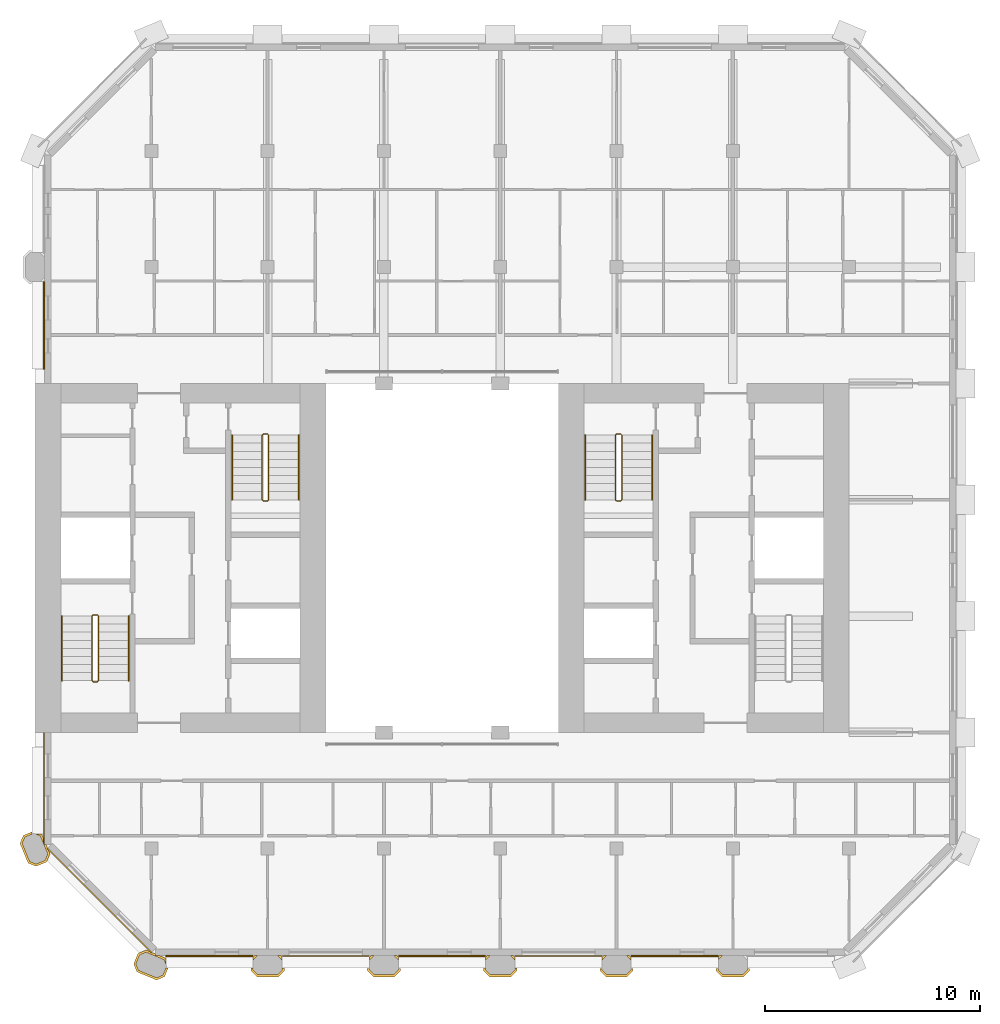
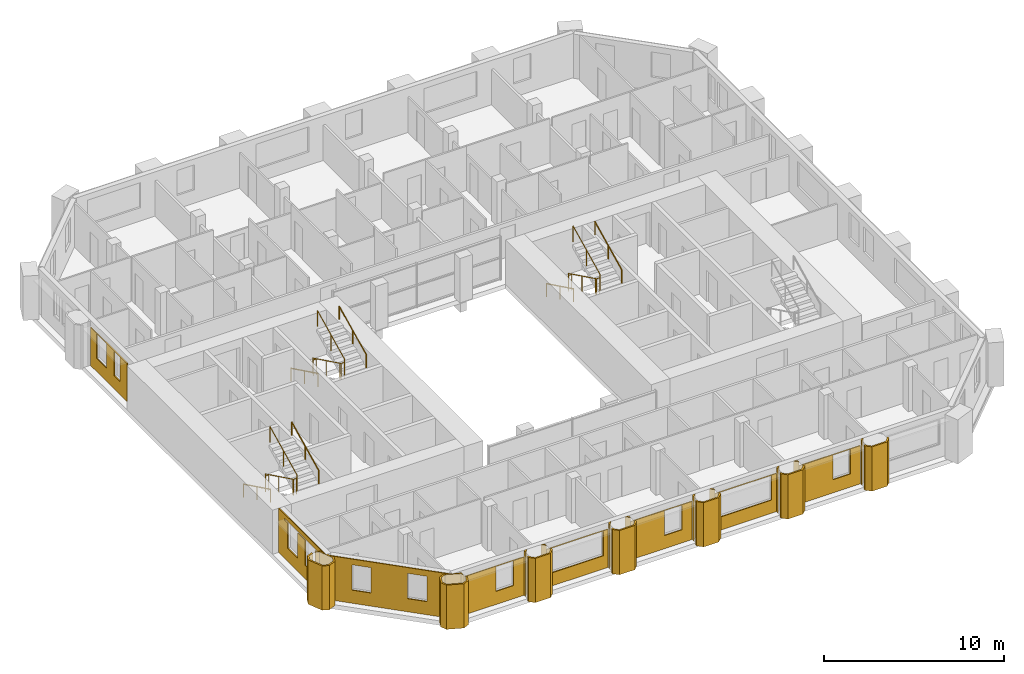
# One storey, part 11 of 13: 24 coverings, 9 railings.
"""IFC4 building model written with IfcOpenShell, lengths in metres."""

import ifcopenshell
import ifcopenshell.guid

model = None  # the IFC model being written
_history = None  # IfcOwnerHistory: only IFC2X3 demands one
_inside = {}  # id of a spatial element -> (the spatial element, [elements in it])
_under = {}  # id of a project, library or spatial element -> (it, [spatial elements below it])
_declared = {}  # id of a project -> (the project, [libraries it declares])
_typed = {}  # id of a type object -> (the type object, [elements of that type])
_made_of = {}  # id of a material, layer set ... -> (it, [elements and type objects made of it])


def new_model(schema):
    """Start an empty IFC model of exactly this schema.

    Asked for "IFC4X3", IfcOpenShell would pick the latest addendum, in which some entities
    have other attributes; the version numbers below select the first issue.
    IFC2X3 requires an IfcOwnerHistory on every rooted entity: one is made here for all.
    """
    global model, _history
    if schema == "IFC4X3":
        model = ifcopenshell.file(schema_version=(4, 3, 0, 0))
    else:
        model = ifcopenshell.file(schema=schema)
    _inside.clear()
    _under.clear()
    _declared.clear()
    _typed.clear()
    _made_of.clear()
    _history = None
    if model.schema == "IFC2X3":
        org = make("IfcOrganization", Name="unknown")
        user = make(
            "IfcPersonAndOrganization",
            ThePerson=make("IfcPerson", FamilyName="unknown"),
            TheOrganization=org,
        )
        app = make(
            "IfcApplication",
            ApplicationDeveloper=org,
            Version="unknown",
            ApplicationFullName="unknown",
            ApplicationIdentifier="unknown",
        )
        _history = make(
            "IfcOwnerHistory",
            OwningUser=user,
            OwningApplication=app,
            ChangeAction="ADDED",
            CreationDate=0,
        )
    return model


def make(cls, **values):
    """One entity of the class cls with the attributes given. An attribute that is None is left unset."""
    return model.create_entity(
        cls, **{name: value for name, value in values.items() if value is not None}
    )


def rooted(cls, **values):
    """An entity with a GlobalId (a new one), such as an element, a storey or a relation."""
    return make(cls, GlobalId=ifcopenshell.guid.new(), OwnerHistory=_history, **values)


def si_unit(unit_type, name, prefix=None):
    """IfcSIUnit, for example si_unit("LENGTHUNIT", "METRE", prefix="MILLI")."""
    return make("IfcSIUnit", UnitType=unit_type, Prefix=prefix, Name=name)


def assignment(units):
    """IfcUnitAssignment: the units of a project."""
    return None if units is None else make("IfcUnitAssignment", Units=units)


def point(xyz):
    """IfcCartesianPoint."""
    return None if xyz is None else make("IfcCartesianPoint", Coordinates=xyz)


def direction(xyz):
    """IfcDirection."""
    return None if xyz is None else make("IfcDirection", DirectionRatios=xyz)


def frame(location, z_axis=None, x_axis=None):
    """IfcAxis2Placement3D, a coordinate frame: its origin and axes. An axis left out is left unset."""
    return make(
        "IfcAxis2Placement3D",
        Location=point(location),
        Axis=direction(z_axis),
        RefDirection=direction(x_axis),
    )


def frame_2d(location, x_axis=None):
    """IfcAxis2Placement2D, a coordinate frame in the plane: its origin and x axis."""
    return make(
        "IfcAxis2Placement2D", Location=point(location), RefDirection=direction(x_axis)
    )


def origin():
    """The frame at (0, 0, 0) with its axes left unset."""
    return frame((0.0, 0.0, 0.0))


def origin_2d():
    """The frame at (0, 0) in the plane with its x axis left unset."""
    return frame_2d((0.0, 0.0))


def place(relative_to, where):
    """IfcLocalPlacement: puts the frame where relative to a parent placement (None: the world)."""
    return make(
        "IfcLocalPlacement", PlacementRelTo=relative_to, RelativePlacement=where
    )


def context(
    kind, dimensions, precision=None, world=None, true_north=None, identifier=None
):
    """IfcGeometricRepresentationContext, for example the 3D "Model" context."""
    return make(
        "IfcGeometricRepresentationContext",
        ContextIdentifier=identifier,
        ContextType=kind,
        CoordinateSpaceDimension=dimensions,
        Precision=precision,
        WorldCoordinateSystem=world,
        TrueNorth=true_north,
    )


def subcontext(parent, identifier, kind, view, scale=None):
    """IfcGeometricRepresentationSubContext, for example "Body" below "Model"."""
    return make(
        "IfcGeometricRepresentationSubContext",
        ContextIdentifier=identifier,
        ContextType=kind,
        ParentContext=parent,
        TargetScale=scale,
        TargetView=view,
    )


def project(units=None, contexts=None):
    """IfcProject with its units and contexts."""
    return rooted(
        "IfcProject",
        Name="project",
        RepresentationContexts=contexts,
        UnitsInContext=assignment(units),
    )


def spatial(cls, under=None, at=None, **own):
    """A site, building, storey or space (cls), placed at a placement, below another one or the project."""
    s = rooted(cls, ObjectPlacement=at, **own)
    if under is not None:
        _under.setdefault(under.id(), (under, []))[1].append(s)
    return s


def polyline(points):
    """IfcPolyline through the points."""
    return make("IfcPolyline", Points=[point(p) for p in points])


def profile(cls, at=None, kind="AREA", **sizes):
    """A parametric profile (cls). Its sizes go by their IFC names, for example OverallWidth=200.0."""
    return make(cls, ProfileType=kind, Position=at, **sizes)


def circle(**sizes):
    """IfcCircleProfileDef."""
    return profile("IfcCircleProfileDef", **sizes)


def outline(outer, holes=None, kind="AREA"):
    """IfcArbitraryClosedProfileDef: a profile drawn as a closed curve; with holes, ...WithVoids."""
    if holes is None:
        return make("IfcArbitraryClosedProfileDef", ProfileType=kind, OuterCurve=outer)
    return make(
        "IfcArbitraryProfileDefWithVoids",
        ProfileType=kind,
        OuterCurve=outer,
        InnerCurves=holes,
    )


def extrude(swept, where, along, depth):
    """IfcExtrudedAreaSolid: the profile swept, set in the frame where, extruded along a direction by depth."""
    return make(
        "IfcExtrudedAreaSolid",
        SweptArea=swept,
        Position=where,
        ExtrudedDirection=direction(along),
        Depth=depth,
    )


def shape(context_of_items, identifier, shape_type, items):
    """IfcShapeRepresentation: the items that make up one representation, for example the "Body"."""
    return make(
        "IfcShapeRepresentation",
        ContextOfItems=context_of_items,
        RepresentationIdentifier=identifier,
        RepresentationType=shape_type,
        Items=items,
    )


def material(Name=None, Category=None):
    """IfcMaterial."""
    return make("IfcMaterial", Name=Name, Category=Category)


def layer(
    of_material, thickness, ventilated=None, Name=None, Category=None, Priority=None
):
    """IfcMaterialLayer: one layer of a wall or slab, of a material (None: an air gap)."""
    return make(
        "IfcMaterialLayer",
        Material=of_material,
        LayerThickness=thickness,
        IsVentilated=ventilated,
        Name=Name,
        Category=Category,
        Priority=Priority,
    )


def layer_set(layers, Name=None):
    """IfcMaterialLayerSet."""
    return make("IfcMaterialLayerSet", MaterialLayers=layers, LayerSetName=Name)


def made_of(thing, what):
    """Note that an element or type object is made of a material, layer set ...; save() writes the relation."""
    if what is not None:
        _made_of.setdefault(what.id(), (what, []))[1].append(thing)
    return thing


def type_object(cls, material=None, **own):
    """A type object (cls), such as IfcWallType, which elements share."""
    return made_of(rooted(cls, **own), material)


def element(
    cls,
    number,
    at=None,
    inside=None,
    cuts=None,
    type_object=None,
    material=None,
    context=None,
    identifier="Body",
    shape_type=None,
    held_by="IfcProductDefinitionShape",
    body=None,
    shapes=None,
    **own,
):
    """One element of the class cls, such as IfcWall. Its Tag is "e" and its number.

    at: its placement. inside: the storey or other place that contains it. cuts: it is an
    opening in that element (IfcRelVoidsElement). A single representation is given by context,
    identifier, shape_type and body (its items); several are given by shapes. held_by: the class
    of the entity that holds the representations. save() writes the other relations.
    """
    e = rooted(cls, Tag="e%d" % number, ObjectPlacement=at, **own)
    if body is not None:
        shapes = [shape(context, identifier, shape_type, body)]
    if shapes is not None:
        e.Representation = make(held_by, Representations=shapes)
    if inside is not None:
        _inside.setdefault(inside.id(), (inside, []))[1].append(e)
    if cuts is not None:
        rooted(
            "IfcRelVoidsElement", RelatingBuildingElement=cuts, RelatedOpeningElement=e
        )
    if type_object is not None:
        _typed.setdefault(type_object.id(), (type_object, []))[1].append(e)
    return made_of(e, material)


def aggregate(whole, parts):
    """IfcRelAggregates: a whole, such as a stair, and the parts it consists of."""
    return rooted("IfcRelAggregates", RelatingObject=whole, RelatedObjects=parts)


def save(model, path):
    """Write the relations noted so far, then the file.

    IfcRelAggregates (storeys below a building ...), IfcRelContainedInSpatialStructure (elements
    in a storey), IfcRelDefinesByType, IfcRelAssociatesMaterial and IfcRelDeclares: one each for
    every whole, place, type object, material and project.
    """
    for whole, parts in _under.values():
        aggregate(whole, parts)
    for where, things in _inside.values():
        rooted(
            "IfcRelContainedInSpatialStructure",
            RelatedElements=things,
            RelatingStructure=where,
        )
    for kind, things in _typed.values():
        rooted("IfcRelDefinesByType", RelatedObjects=things, RelatingType=kind)
    for what, things in _made_of.values():
        rooted("IfcRelAssociatesMaterial", RelatedObjects=things, RelatingMaterial=what)
    for by, libraries in _declared.values():
        rooted("IfcRelDeclares", RelatingContext=by, RelatedDefinitions=libraries)
    model.write(path)


model = new_model("IFC4")

# Units and contexts
model_context = context("Model", 3, precision=1e-05, world=origin(), true_north=direction((0.0, 1.0)))
body_context = subcontext(model_context, "Body", "Model", "MODEL_VIEW")
ifc_project = project(units=[si_unit("LENGTHUNIT", "METRE"), si_unit("AREAUNIT", "SQUARE_METRE"), si_unit("VOLUMEUNIT", "CUBIC_METRE"), si_unit("PLANEANGLEUNIT", "RADIAN"), si_unit("MASSUNIT", "GRAM", prefix="KILO")], contexts=[model_context])

# Site, building, storey
site_placement = place(None, origin())
site = spatial("IfcSite", under=ifc_project, at=site_placement, CompositionType="ELEMENT")
building_placement = place(site_placement, origin())
building = spatial("IfcBuilding", under=site, at=building_placement, Name="Tabaq Tower and Sports Hall", CompositionType="ELEMENT")
storey_placement = place(building_placement, frame((0.0, 0.0, 291.699951171875)))
storey = spatial("IfcBuildingStorey", under=building, at=storey_placement, Name="L72", CompositionType="ELEMENT", Elevation=291.699951171875)

# Coverings
ifc_material_1 = material(Name="Precast concrete C60/75", Category="concrete")
ifc_layer_1 = layer(ifc_material_1, 0.10009765625)
ifc_layer_set_1 = layer_set([ifc_layer_1], Name="Column cladding 100")
covering_type_1 = type_object("IfcCoveringType", Name="Column cladding 100", PredefinedType="CLADDING", material=ifc_layer_set_1)
covering_1_placement = place(storey_placement, origin())
element("IfcCovering", 1, at=covering_1_placement, inside=storey, type_object=covering_type_1, Name="Column cladding L72 PC-2C-R2", PredefinedType="CLADDING", context=body_context, shape_type="SweptSolid", body=[
    extrude(outline(polyline([(5.450439453125, 9.982421875), (5.080078125, 10.1357421875), (4.7041015625, 11.04345703125), (4.857421875, 11.413818359375), (5.249755859375, 11.576171875), (5.249755859375, 11.474609375), (5.26416015625, 11.474609375), (4.93359375, 11.337646484375), (4.811767578125, 11.04345703125), (5.15625, 10.2119140625), (5.450439453125, 10.08984375), (5.866455078125, 10.26220703125), (5.98828125, 10.556396484375), (5.643798828125, 11.38818359375), (5.434814453125, 11.474609375), (5.694580078125, 11.474609375), (5.7197265625, 11.46435546875), (5.789794921875, 11.295654296875), (5.789794921875, 11.04296875), (5.849609375, 11.04296875), (5.849609375, 10.986083984375), (5.91796875, 10.986083984375), (5.9814453125, 10.83251953125), (5.9501953125, 10.801025390625), (6.026123046875, 10.72509765625), (6.095947265625, 10.556396484375), (5.9423828125, 10.186279296875), (5.450439453125, 9.982421875)])), origin(), (0.0, 0.0, 1.0), 3.0),
])
covering_2_placement = place(storey_placement, origin())
element("IfcCovering", 2, at=covering_2_placement, inside=storey, type_object=covering_type_1, Name="Column cladding L72 PC-3B-R2", PredefinedType="CLADDING", context=body_context, shape_type="SweptSolid", body=[
    extrude(outline(polyline([(11.413818359375, 4.857421875), (11.04345703125, 4.7041015625), (10.1357421875, 5.080078125), (9.982421875, 5.450439453125), (10.186279296875, 5.9423828125), (10.556396484375, 6.095947265625), (10.72509765625, 6.026123046875), (10.801025390625, 5.9501953125), (10.83251953125, 5.9814453125), (10.986083984375, 5.91796875), (10.986083984375, 5.849609375), (11.15087890625, 5.849609375), (11.46435546875, 5.7197265625), (11.474609375, 5.694580078125), (11.474609375, 5.434814453125), (11.38818359375, 5.643798828125), (10.556396484375, 5.98828125), (10.26220703125, 5.866455078125), (10.08984375, 5.450439453125), (10.2119140625, 5.15625), (11.04345703125, 4.811767578125), (11.337646484375, 4.93359375), (11.474609375, 5.26416015625), (11.474609375, 5.249755859375), (11.576171875, 5.249755859375), (11.413818359375, 4.857421875)])), origin(), (0.0, 0.0, 1.0), 3.0),
])
covering_3_placement = place(storey_placement, origin())
element("IfcCovering", 3, at=covering_3_placement, inside=storey, type_object=covering_type_1, Name="Column cladding L72 PC-4B-R2", PredefinedType="CLADDING", context=body_context, shape_type="SweptSolid", body=[
    extrude(outline(polyline([(15.42529296875, 5.249755859375), (15.524658203125, 5.249755859375), (15.524658203125, 5.1748046875), (15.749755859375, 4.94970703125), (16.650146484375, 4.94970703125), (16.875244140625, 5.1748046875), (16.875244140625, 5.249755859375), (16.974609375, 5.249755859375), (16.974609375, 5.1337890625), (16.69140625, 4.850341796875), (15.708740234375, 4.850341796875), (15.42529296875, 5.1337890625), (15.42529296875, 5.249755859375)])), origin(), (0.0, 0.0, 1.0), 3.0),
])
covering_4_placement = place(storey_placement, origin())
element("IfcCovering", 4, at=covering_4_placement, inside=storey, type_object=covering_type_1, Name="Column cladding L72 PC-4B-R2 2", PredefinedType="CLADDING", context=body_context, shape_type="SweptSolid", body=[
    extrude(outline(polyline([(16.874755859375, 5.766357421875), (16.874755859375, 5.625732421875), (16.650634765625, 5.849609375), (16.791259765625, 5.849609375), (16.874755859375, 5.766357421875)])), origin(), (0.0, 0.0, 1.0), 3.0),
])
covering_5_placement = place(storey_placement, origin())
element("IfcCovering", 5, at=covering_5_placement, inside=storey, type_object=covering_type_1, Name="Column cladding L72 PC-4B-R2 3", PredefinedType="CLADDING", context=body_context, shape_type="SweptSolid", body=[
    extrude(outline(polyline([(15.608642578125, 5.849609375), (15.749267578125, 5.849609375), (15.525390625, 5.625732421875), (15.525390625, 5.766357421875), (15.608642578125, 5.849609375)])), origin(), (0.0, 0.0, 1.0), 3.0),
])
covering_6_placement = place(storey_placement, origin())
element("IfcCovering", 6, at=covering_6_placement, inside=storey, type_object=covering_type_1, Name="Column cladding L72 PC-5B-R2", PredefinedType="CLADDING", context=body_context, shape_type="SweptSolid", body=[
    extrude(outline(polyline([(20.82568359375, 5.24951171875), (20.92431640625, 5.24951171875), (20.92431640625, 5.1748046875), (21.149658203125, 4.949462890625), (22.05029296875, 4.949462890625), (22.275634765625, 5.1748046875), (22.275634765625, 5.24951171875), (22.37451171875, 5.24951171875), (22.37451171875, 5.1337890625), (22.091064453125, 4.8505859375), (21.10888671875, 4.8505859375), (20.82568359375, 5.1337890625), (20.82568359375, 5.24951171875)])), origin(), (0.0, 0.0, 1.0), 3.0),
])
covering_7_placement = place(storey_placement, origin())
element("IfcCovering", 7, at=covering_7_placement, inside=storey, type_object=covering_type_1, Name="Column cladding L72 PC-5B-R2 2", PredefinedType="CLADDING", context=body_context, shape_type="SweptSolid", body=[
    extrude(outline(polyline([(22.274658203125, 5.766357421875), (22.274658203125, 5.625732421875), (22.05078125, 5.849609375), (22.19140625, 5.849609375), (22.274658203125, 5.766357421875)])), origin(), (0.0, 0.0, 1.0), 3.0),
])
covering_8_placement = place(storey_placement, origin())
element("IfcCovering", 8, at=covering_8_placement, inside=storey, type_object=covering_type_1, Name="Column cladding L72 PC-5B-R2 3", PredefinedType="CLADDING", context=body_context, shape_type="SweptSolid", body=[
    extrude(outline(polyline([(20.925537109375, 5.62646484375), (20.925537109375, 5.76611328125), (21.0087890625, 5.849365234375), (21.1484375, 5.849365234375), (20.925537109375, 5.62646484375)])), origin(), (0.0, 0.0, 1.0), 3.0),
])
covering_9_placement = place(storey_placement, origin())
element("IfcCovering", 9, at=covering_9_placement, inside=storey, type_object=covering_type_1, Name="Column cladding L72 PC-6B-R2", PredefinedType="CLADDING", context=body_context, shape_type="SweptSolid", body=[
    extrude(outline(polyline([(26.225341796875, 5.249755859375), (26.32470703125, 5.249755859375), (26.32470703125, 5.1748046875), (26.5498046875, 4.94970703125), (27.4501953125, 4.94970703125), (27.67529296875, 5.1748046875), (27.67529296875, 5.249755859375), (27.774658203125, 5.249755859375), (27.774658203125, 5.1337890625), (27.4912109375, 4.850341796875), (26.5087890625, 4.850341796875), (26.225341796875, 5.1337890625), (26.225341796875, 5.249755859375)])), origin(), (0.0, 0.0, 1.0), 3.0),
])
covering_10_placement = place(storey_placement, origin())
element("IfcCovering", 10, at=covering_10_placement, inside=storey, type_object=covering_type_1, Name="Column cladding L72 PC-6B-R2 2", PredefinedType="CLADDING", context=body_context, shape_type="SweptSolid", body=[
    extrude(outline(polyline([(26.40869140625, 5.849609375), (26.54931640625, 5.849609375), (26.3251953125, 5.625732421875), (26.3251953125, 5.766357421875), (26.40869140625, 5.849609375)])), origin(), (0.0, 0.0, 1.0), 3.0),
])
covering_11_placement = place(storey_placement, origin())
element("IfcCovering", 11, at=covering_11_placement, inside=storey, type_object=covering_type_1, Name="Column cladding L72 PC-6B-R2 3", PredefinedType="CLADDING", context=body_context, shape_type="SweptSolid", body=[
    extrude(outline(polyline([(27.6748046875, 5.766357421875), (27.6748046875, 5.625732421875), (27.45068359375, 5.849609375), (27.59130859375, 5.849609375), (27.6748046875, 5.766357421875)])), origin(), (0.0, 0.0, 1.0), 3.0),
])
covering_12_placement = place(storey_placement, origin())
element("IfcCovering", 12, at=covering_12_placement, inside=storey, type_object=covering_type_1, Name="Column cladding L72 PC-7B-R2", PredefinedType="CLADDING", context=body_context, shape_type="SweptSolid", body=[
    extrude(outline(polyline([(31.62548828125, 5.24951171875), (31.724365234375, 5.24951171875), (31.724365234375, 5.1748046875), (31.94970703125, 4.949462890625), (32.850341796875, 4.949462890625), (33.07568359375, 5.1748046875), (33.07568359375, 5.24951171875), (33.17431640625, 5.24951171875), (33.17431640625, 5.1337890625), (32.89111328125, 4.8505859375), (31.908935546875, 4.8505859375), (31.62548828125, 5.1337890625), (31.62548828125, 5.24951171875)])), origin(), (0.0, 0.0, 1.0), 3.0),
])
covering_13_placement = place(storey_placement, origin())
element("IfcCovering", 13, at=covering_13_placement, inside=storey, type_object=covering_type_1, Name="Column cladding L72 PC-7B-R2 2", PredefinedType="CLADDING", context=body_context, shape_type="SweptSolid", body=[
    extrude(outline(polyline([(31.80859375, 5.849609375), (31.94921875, 5.849609375), (31.725341796875, 5.625732421875), (31.725341796875, 5.766357421875), (31.80859375, 5.849609375)])), origin(), (0.0, 0.0, 1.0), 3.0),
])
covering_14_placement = place(storey_placement, origin())
element("IfcCovering", 14, at=covering_14_placement, inside=storey, type_object=covering_type_1, Name="Column cladding L72 PC-7B-R2 3", PredefinedType="CLADDING", context=body_context, shape_type="SweptSolid", body=[
    extrude(outline(polyline([(33.074462890625, 5.62646484375), (32.8515625, 5.849365234375), (32.9912109375, 5.849365234375), (33.074462890625, 5.76611328125), (33.074462890625, 5.62646484375)])), origin(), (0.0, 0.0, 1.0), 3.0),
])
covering_15_placement = place(storey_placement, origin())
element("IfcCovering", 15, at=covering_15_placement, inside=storey, type_object=covering_type_1, Name="Column cladding L72 PC-8B-R2", PredefinedType="CLADDING", context=body_context, shape_type="SweptSolid", body=[
    extrude(outline(polyline([(37.025634765625, 5.24951171875), (37.12451171875, 5.24951171875), (37.12451171875, 5.1748046875), (37.349853515625, 4.949462890625), (38.250244140625, 4.949462890625), (38.4755859375, 5.1748046875), (38.4755859375, 5.24951171875), (38.574462890625, 5.24951171875), (38.574462890625, 5.1337890625), (38.291259765625, 4.8505859375), (37.308837890625, 4.8505859375), (37.025634765625, 5.1337890625), (37.025634765625, 5.24951171875)])), origin(), (0.0, 0.0, 1.0), 3.0),
])
covering_16_placement = place(storey_placement, origin())
element("IfcCovering", 16, at=covering_16_placement, inside=storey, type_object=covering_type_1, Name="Column cladding L72 PC-8B-R2 2", PredefinedType="CLADDING", context=body_context, shape_type="SweptSolid", body=[
    extrude(outline(polyline([(37.208740234375, 5.849609375), (37.349365234375, 5.849609375), (37.125244140625, 5.625732421875), (37.125244140625, 5.766357421875), (37.208740234375, 5.849609375)])), origin(), (0.0, 0.0, 1.0), 3.0),
])

# Railings
ifc_material_2 = material(Name="Stainless steel", Category="steel")
railing_type_1 = type_object("IfcRailingType", Name="Stair guard", PredefinedType="GUARDRAIL", material=ifc_material_2)
railing_1_placement = place(storey_placement, frame((8.300048828125, 21.64990234375, 0.0)))
element("IfcRailing", 17, at=railing_1_placement, inside=storey, type_object=railing_type_1, Name="L72 ST1 stair guard 1", PredefinedType="GUARDRAIL", context=body_context, shape_type="SweptSolid", body=[
    extrude(circle(Radius=0.02392578125, at=origin_2d()), frame((0.0, 0.0, 1.076171875), z_axis=(-1.0, 0.0, 0.0), x_axis=(0.0, -1.0, 0.0)), (0.0, 0.0, 1.0), 0.199951171875),
    extrude(circle(Radius=0.02392578125, at=origin_2d()), frame((-0.199951171875, 0.0, 1.076171875), z_axis=(-0.254733673405, -0.25349107012, 0.933195066962), x_axis=(0.705375805398, -0.708833529934, 0.0)), (0.0, 0.0, 1.0), 0.196533203125),
    extrude(circle(Radius=0.02392578125, at=origin_2d()), frame((-0.25, -0.0498046875, 1.25927734375), z_axis=(0.0, -0.898368975038, 0.439241601728), x_axis=(1.0, 0.0, 0.0)), (0.0, 0.0, 1.0), 3.33935546875),
    extrude(circle(Radius=0.02392578125, at=origin_2d()), frame((-0.25, -3.0498046875, 2.72607421875), z_axis=(0.707106781187, -0.707106781187, 0.0), x_axis=(0.707106781187, 0.707106781187, 0.0)), (0.0, 0.0, 1.0), 0.07080078125),
    extrude(circle(Radius=0.02392578125, at=origin_2d()), frame((-0.199951171875, -3.099853515625, 2.72607421875), z_axis=(1.0, 0.0, 0.0), x_axis=(0.0, 1.0, 0.0)), (0.0, 0.0, 1.0), 0.199951171875),
    extrude(circle(Radius=0.02392578125, at=origin_2d()), frame((0.0, -3.099853515625, 2.72607421875), z_axis=(0.254653276557, 0.254653276557, 0.932900539971), x_axis=(-0.707106781187, 0.707106781187, 0.0)), (0.0, 0.0, 1.0), 0.196533203125),
    extrude(circle(Radius=0.02392578125, at=origin_2d()), frame((0.050048828125, -3.0498046875, 2.90966796875), z_axis=(0.0, 0.898397823093, 0.439182594671), x_axis=(-1.0, 0.0, 0.0)), (0.0, 0.0, 1.0), 3.33935546875),
    extrude(circle(Radius=0.02099609375, at=origin_2d()), origin(), (0.0, 0.0, 1.0), 1.052001953125),
    extrude(circle(Radius=0.02099609375, at=origin_2d()), frame((-0.199951171875, 0.0, 0.0)), (0.0, 0.0, 1.0), 1.052001953125),
    extrude(circle(Radius=0.02099609375, at=origin_2d()), frame((-0.25, -0.0498046875, 0.183349609375)), (0.0, 0.0, 1.0), 1.052001953125),
    extrude(circle(Radius=0.02099609375, at=origin_2d()), frame((-0.25, -1.5498046875, 0.916748046875)), (0.0, 0.0, 1.0), 1.052001953125),
    extrude(circle(Radius=0.02099609375, at=origin_2d()), frame((-0.25, -3.0498046875, 1.650146484375)), (0.0, 0.0, 1.0), 1.052001953125),
    extrude(circle(Radius=0.02099609375, at=origin_2d()), frame((-0.199951171875, -3.099853515625, 1.650146484375)), (0.0, 0.0, 1.0), 1.052001953125),
    extrude(circle(Radius=0.02099609375, at=origin_2d()), frame((0.0, -3.099853515625, 1.650146484375)), (0.0, 0.0, 1.0), 1.052001953125),
    extrude(circle(Radius=0.02099609375, at=origin_2d()), frame((0.050048828125, -3.0498046875, 1.83349609375)), (0.0, 0.0, 1.0), 1.052001953125),
    extrude(circle(Radius=0.02099609375, at=origin_2d()), frame((0.050048828125, -1.5498046875, 2.56689453125)), (0.0, 0.0, 1.0), 1.052001953125),
    extrude(circle(Radius=0.02099609375, at=origin_2d()), frame((0.050048828125, -0.0498046875, 3.300048828125)), (0.0, 0.0, 1.0), 1.052001953125),
])
railing_2_placement = place(storey_placement, frame((16.199951171875, 30.050048828125, 0.0)))
element("IfcRailing", 18, at=railing_2_placement, inside=storey, type_object=railing_type_1, Name="L72 ST2 stair guard 1", PredefinedType="GUARDRAIL", context=body_context, shape_type="SweptSolid", body=[
    extrude(circle(Radius=0.02392578125, at=origin_2d()), frame((0.0, 0.0, 1.076171875), z_axis=(-1.0, 0.0, 0.0), x_axis=(0.0, -1.0, 0.0)), (0.0, 0.0, 1.0), 0.199951171875),
    extrude(circle(Radius=0.02392578125, at=origin_2d()), frame((-0.199951171875, 0.0, 1.076171875), z_axis=(-0.254653276557, -0.254653276557, 0.932900539971), x_axis=(0.707106781187, -0.707106781187, 0.0)), (0.0, 0.0, 1.0), 0.196533203125),
    extrude(circle(Radius=0.02392578125, at=origin_2d()), frame((-0.25, -0.050048828125, 1.25927734375), z_axis=(0.0, -0.898368975038, 0.439241601728), x_axis=(1.0, 0.0, 0.0)), (0.0, 0.0, 1.0), 3.33935546875),
    extrude(circle(Radius=0.02392578125, at=origin_2d()), frame((-0.25, -3.050048828125, 2.72607421875), z_axis=(0.707106781187, -0.707106781187, 0.0), x_axis=(0.707106781187, 0.707106781187, 0.0)), (0.0, 0.0, 1.0), 0.07080078125),
    extrude(circle(Radius=0.02392578125, at=origin_2d()), frame((-0.199951171875, -3.10009765625, 2.72607421875), z_axis=(1.0, 0.0, 0.0), x_axis=(0.0, 1.0, 0.0)), (0.0, 0.0, 1.0), 0.199951171875),
    extrude(circle(Radius=0.02392578125, at=origin_2d()), frame((0.0, -3.10009765625, 2.72607421875), z_axis=(0.254653276557, 0.254653276557, 0.932900539971), x_axis=(-0.707106781187, 0.707106781187, 0.0)), (0.0, 0.0, 1.0), 0.196533203125),
    extrude(circle(Radius=0.02392578125, at=origin_2d()), frame((0.050048828125, -3.050048828125, 2.90966796875), z_axis=(0.0, 0.898397823093, 0.439182594671), x_axis=(-1.0, 0.0, 0.0)), (0.0, 0.0, 1.0), 3.33935546875),
    extrude(circle(Radius=0.02099609375, at=origin_2d()), origin(), (0.0, 0.0, 1.0), 1.052001953125),
    extrude(circle(Radius=0.02099609375, at=origin_2d()), frame((-0.199951171875, 0.0, 0.0)), (0.0, 0.0, 1.0), 1.052001953125),
    extrude(circle(Radius=0.02099609375, at=origin_2d()), frame((-0.25, -0.050048828125, 0.183349609375)), (0.0, 0.0, 1.0), 1.052001953125),
    extrude(circle(Radius=0.02099609375, at=origin_2d()), frame((-0.25, -1.550048828125, 0.916748046875)), (0.0, 0.0, 1.0), 1.052001953125),
    extrude(circle(Radius=0.02099609375, at=origin_2d()), frame((-0.25, -3.050048828125, 1.650146484375)), (0.0, 0.0, 1.0), 1.052001953125),
    extrude(circle(Radius=0.02099609375, at=origin_2d()), frame((-0.199951171875, -3.10009765625, 1.650146484375)), (0.0, 0.0, 1.0), 1.052001953125),
    extrude(circle(Radius=0.02099609375, at=origin_2d()), frame((0.0, -3.10009765625, 1.650146484375)), (0.0, 0.0, 1.0), 1.052001953125),
    extrude(circle(Radius=0.02099609375, at=origin_2d()), frame((0.050048828125, -3.050048828125, 1.83349609375)), (0.0, 0.0, 1.0), 1.052001953125),
    extrude(circle(Radius=0.02099609375, at=origin_2d()), frame((0.050048828125, -1.550048828125, 2.56689453125)), (0.0, 0.0, 1.0), 1.052001953125),
    extrude(circle(Radius=0.02099609375, at=origin_2d()), frame((0.050048828125, -0.050048828125, 3.300048828125)), (0.0, 0.0, 1.0), 1.052001953125),
])
railing_3_placement = place(storey_placement, frame((32.60009765625, 30.050048828125, 0.0)))
element("IfcRailing", 19, at=railing_3_placement, inside=storey, type_object=railing_type_1, Name="L72 ST4 stair guard 1", PredefinedType="GUARDRAIL", context=body_context, shape_type="SweptSolid", body=[
    extrude(circle(Radius=0.02392578125, at=origin_2d()), frame((0.0, 0.0, 1.076171875), z_axis=(-1.0, 0.0, 0.0), x_axis=(0.0, -1.0, 0.0)), (0.0, 0.0, 1.0), 0.2001953125),
    extrude(circle(Radius=0.02392578125, at=origin_2d()), frame((-0.2001953125, 0.0, 1.076171875), z_axis=(-0.25349107012, -0.254733673405, 0.933195066962), x_axis=(0.708833529934, -0.705375805398, 0.0)), (0.0, 0.0, 1.0), 0.196533203125),
    extrude(circle(Radius=0.02392578125, at=origin_2d()), frame((-0.25, -0.050048828125, 1.25927734375), z_axis=(0.0, -0.898368975038, 0.439241601728), x_axis=(1.0, 0.0, 0.0)), (0.0, 0.0, 1.0), 3.33935546875),
    extrude(circle(Radius=0.02392578125, at=origin_2d()), frame((-0.25, -3.050048828125, 2.72607421875), z_axis=(0.705375805398, -0.708833529934, 0.0), x_axis=(0.708833529934, 0.705375805398, 0.0)), (0.0, 0.0, 1.0), 0.070556640625),
    extrude(circle(Radius=0.02392578125, at=origin_2d()), frame((-0.2001953125, -3.10009765625, 2.72607421875), z_axis=(1.0, 0.0, 0.0), x_axis=(0.0, 1.0, 0.0)), (0.0, 0.0, 1.0), 0.2001953125),
    extrude(circle(Radius=0.02392578125, at=origin_2d()), frame((0.0, -3.10009765625, 2.72607421875), z_axis=(0.25349107012, 0.254733673405, 0.933195066962), x_axis=(-0.708833529934, 0.705375805398, 0.0)), (0.0, 0.0, 1.0), 0.196533203125),
    extrude(circle(Radius=0.02392578125, at=origin_2d()), frame((0.0498046875, -3.050048828125, 2.90966796875), z_axis=(0.0, 0.898397823093, 0.439182594671), x_axis=(-1.0, 0.0, 0.0)), (0.0, 0.0, 1.0), 3.33935546875),
    extrude(circle(Radius=0.02099609375, at=origin_2d()), origin(), (0.0, 0.0, 1.0), 1.052001953125),
    extrude(circle(Radius=0.02099609375, at=origin_2d()), frame((-0.2001953125, 0.0, 0.0)), (0.0, 0.0, 1.0), 1.052001953125),
    extrude(circle(Radius=0.02099609375, at=origin_2d()), frame((-0.25, -0.050048828125, 0.183349609375)), (0.0, 0.0, 1.0), 1.052001953125),
    extrude(circle(Radius=0.02099609375, at=origin_2d()), frame((-0.25, -1.550048828125, 0.916748046875)), (0.0, 0.0, 1.0), 1.052001953125),
    extrude(circle(Radius=0.02099609375, at=origin_2d()), frame((-0.25, -3.050048828125, 1.650146484375)), (0.0, 0.0, 1.0), 1.052001953125),
    extrude(circle(Radius=0.02099609375, at=origin_2d()), frame((-0.2001953125, -3.10009765625, 1.650146484375)), (0.0, 0.0, 1.0), 1.052001953125),
    extrude(circle(Radius=0.02099609375, at=origin_2d()), frame((0.0, -3.10009765625, 1.650146484375)), (0.0, 0.0, 1.0), 1.052001953125),
    extrude(circle(Radius=0.02099609375, at=origin_2d()), frame((0.0498046875, -3.050048828125, 1.83349609375)), (0.0, 0.0, 1.0), 1.052001953125),
    extrude(circle(Radius=0.02099609375, at=origin_2d()), frame((0.0498046875, -1.550048828125, 2.56689453125)), (0.0, 0.0, 1.0), 1.052001953125),
    extrude(circle(Radius=0.02099609375, at=origin_2d()), frame((0.0498046875, -0.050048828125, 3.300048828125)), (0.0, 0.0, 1.0), 1.052001953125),
])
ifc_material_3 = material(Name="Stainless steel", Category="steel")
railing_type_2 = type_object("IfcRailingType", Name="Stair handrail", PredefinedType="HANDRAIL", material=ifc_material_3)
railing_4_placement = place(storey_placement, frame((6.64990234375, 21.60009765625, 0.183349609375)))
element("IfcRailing", 20, at=railing_4_placement, inside=storey, type_object=railing_type_2, Name="L72 ST1 stair handrail 1", PredefinedType="HANDRAIL", context=body_context, shape_type="SweptSolid", body=[
    extrude(circle(Radius=0.02392578125, at=origin_2d()), frame((0.0, 0.0, 0.8759765625), z_axis=(0.0, -0.898368975038, 0.439241601728), x_axis=(1.0, 0.0, 0.0)), (0.0, 0.0, 1.0), 3.33935546875),
    extrude(circle(Radius=0.02099609375, at=origin_2d()), origin(), (0.0, 0.0, 1.0), 0.851806640625),
    extrude(circle(Radius=0.02099609375, at=origin_2d()), frame((0.0, -1.5, 0.7333984375)), (0.0, 0.0, 1.0), 0.851806640625),
    extrude(circle(Radius=0.02099609375, at=origin_2d()), frame((0.0, -3.0, 1.466796875)), (0.0, 0.0, 1.0), 0.851806640625),
])
railing_5_placement = place(storey_placement, frame((9.75, 18.60009765625, 1.83349609375)))
element("IfcRailing", 21, at=railing_5_placement, inside=storey, type_object=railing_type_2, Name="L72 ST1 stair handrail 2", PredefinedType="HANDRAIL", context=body_context, shape_type="SweptSolid", body=[
    extrude(circle(Radius=0.02392578125, at=origin_2d()), frame((0.0, 0.0, 0.8759765625), z_axis=(0.0, 0.898397823093, 0.439182594671), x_axis=(-1.0, 0.0, 0.0)), (0.0, 0.0, 1.0), 3.33935546875),
    extrude(circle(Radius=0.02099609375, at=origin_2d()), origin(), (0.0, 0.0, 1.0), 0.851806640625),
    extrude(circle(Radius=0.02099609375, at=origin_2d()), frame((0.0, 1.5, 0.7333984375)), (0.0, 0.0, 1.0), 0.851806640625),
    extrude(circle(Radius=0.02099609375, at=origin_2d()), frame((0.0, 3.0, 1.466552734375)), (0.0, 0.0, 1.0), 0.851806640625),
])
railing_6_placement = place(storey_placement, frame((14.550048828125, 30.0, 0.183349609375)))
element("IfcRailing", 22, at=railing_6_placement, inside=storey, type_object=railing_type_2, Name="L72 ST2 stair handrail 1", PredefinedType="HANDRAIL", context=body_context, shape_type="SweptSolid", body=[
    extrude(circle(Radius=0.02392578125, at=origin_2d()), frame((0.0, 0.0, 0.8759765625), z_axis=(0.0, -0.898368975038, 0.439241601728), x_axis=(1.0, 0.0, 0.0)), (0.0, 0.0, 1.0), 3.33935546875),
    extrude(circle(Radius=0.02099609375, at=origin_2d()), origin(), (0.0, 0.0, 1.0), 0.851806640625),
    extrude(circle(Radius=0.02099609375, at=origin_2d()), frame((0.0, -1.5, 0.7333984375)), (0.0, 0.0, 1.0), 0.851806640625),
    extrude(circle(Radius=0.02099609375, at=origin_2d()), frame((0.0, -3.0, 1.466796875)), (0.0, 0.0, 1.0), 0.851806640625),
])
railing_7_placement = place(storey_placement, frame((17.64990234375, 27.0, 1.83349609375)))
element("IfcRailing", 23, at=railing_7_placement, inside=storey, type_object=railing_type_2, Name="L72 ST2 stair handrail 2", PredefinedType="HANDRAIL", context=body_context, shape_type="SweptSolid", body=[
    extrude(circle(Radius=0.02392578125, at=origin_2d()), frame((0.0, 0.0, 0.8759765625), z_axis=(0.0, 0.898397823093, 0.439182594671), x_axis=(-1.0, 0.0, 0.0)), (0.0, 0.0, 1.0), 3.33935546875),
    extrude(circle(Radius=0.02099609375, at=origin_2d()), origin(), (0.0, 0.0, 1.0), 0.851806640625),
    extrude(circle(Radius=0.02099609375, at=origin_2d()), frame((0.0, 1.5, 0.7333984375)), (0.0, 0.0, 1.0), 0.851806640625),
    extrude(circle(Radius=0.02099609375, at=origin_2d()), frame((0.0, 3.0, 1.466552734375)), (0.0, 0.0, 1.0), 0.851806640625),
])
railing_8_placement = place(storey_placement, frame((30.949951171875, 30.0, 0.183349609375)))
element("IfcRailing", 24, at=railing_8_placement, inside=storey, type_object=railing_type_2, Name="L72 ST4 stair handrail 1", PredefinedType="HANDRAIL", context=body_context, shape_type="SweptSolid", body=[
    extrude(circle(Radius=0.02392578125, at=origin_2d()), frame((0.0, 0.0, 0.8759765625), z_axis=(0.0, -0.898368975038, 0.439241601728), x_axis=(1.0, 0.0, 0.0)), (0.0, 0.0, 1.0), 3.33935546875),
    extrude(circle(Radius=0.02099609375, at=origin_2d()), origin(), (0.0, 0.0, 1.0), 0.851806640625),
    extrude(circle(Radius=0.02099609375, at=origin_2d()), frame((0.0, -1.5, 0.7333984375)), (0.0, 0.0, 1.0), 0.851806640625),
    extrude(circle(Radius=0.02099609375, at=origin_2d()), frame((0.0, -3.0, 1.466796875)), (0.0, 0.0, 1.0), 0.851806640625),
])
railing_9_placement = place(storey_placement, frame((34.050048828125, 27.0, 1.83349609375)))
element("IfcRailing", 25, at=railing_9_placement, inside=storey, type_object=railing_type_2, Name="L72 ST4 stair handrail 2", PredefinedType="HANDRAIL", context=body_context, shape_type="SweptSolid", body=[
    extrude(circle(Radius=0.02392578125, at=origin_2d()), frame((0.0, 0.0, 0.8759765625), z_axis=(0.0, 0.898397823093, 0.439182594671), x_axis=(-1.0, 0.0, 0.0)), (0.0, 0.0, 1.0), 3.33935546875),
    extrude(circle(Radius=0.02099609375, at=origin_2d()), origin(), (0.0, 0.0, 1.0), 0.851806640625),
    extrude(circle(Radius=0.02099609375, at=origin_2d()), frame((0.0, 1.5, 0.7333984375)), (0.0, 0.0, 1.0), 0.851806640625),
    extrude(circle(Radius=0.02099609375, at=origin_2d()), frame((0.0, 3.0, 1.466552734375)), (0.0, 0.0, 1.0), 0.851806640625),
])

# Coverings
ifc_material_4 = material(Name="Precast concrete C60/75", Category="concrete")
ifc_layer_2 = layer(ifc_material_4, 0.06005859375)
ifc_layer_set_2 = layer_set([ifc_layer_2], Name="White precast cladding panel 60 C60/75")
covering_type_2 = type_object("IfcCoveringType", Name="White precast cladding panel 60 C60/75", PredefinedType="CLADDING", material=ifc_layer_set_2)
covering_17_placement = place(storey_placement, frame((11.465087890625, 5.820068359375, 0.0), z_axis=(0.0, 0.0, 1.0), x_axis=(1.0, 0.0, 0.0)))
element("IfcCovering", 26, at=covering_17_placement, inside=storey, type_object=covering_type_2, Name="White precast cladding panel L72 wall00", PredefinedType="CLADDING", context=body_context, shape_type="SweptSolid", body=[
    extrude(outline(polyline([(0.0, 0.0), (4.0498046875, 0.0), (4.0498046875, 2.590087890625), (0.0, 2.590087890625), (0.0, 0.0)]), holes=[polyline([(3.39501953125, 0.89013671875), (2.27490234375, 0.89013671875), (2.27490234375, 2.56005859375), (3.39501953125, 2.56005859375), (3.39501953125, 0.89013671875)])]), frame((0.0, 0.030029296875, 0.0), z_axis=(0.0, -1.0, 0.0), x_axis=(1.0, 0.0, 0.0)), (0.0, 0.0, 1.0), 0.06005859375),
])
covering_18_placement = place(storey_placement, frame((16.885009765625, 5.820068359375, 0.0), z_axis=(0.0, 0.0, 1.0), x_axis=(1.0, 0.0, 0.0)))
element("IfcCovering", 27, at=covering_18_placement, inside=storey, type_object=covering_type_2, Name="White precast cladding panel L72 wall00 2", PredefinedType="CLADDING", context=body_context, shape_type="SweptSolid", body=[
    extrude(outline(polyline([(0.0, 0.0), (4.030029296875, 0.0), (4.030029296875, 2.590087890625), (0.0, 2.590087890625), (0.0, 0.0)]), holes=[polyline([(3.72509765625, 0.89013671875), (0.304931640625, 0.89013671875), (0.304931640625, 2.56005859375), (3.72509765625, 2.56005859375), (3.72509765625, 0.89013671875)])]), frame((0.0, 0.030029296875, 0.0), z_axis=(0.0, -1.0, 0.0), x_axis=(1.0, 0.0, 0.0)), (0.0, 0.0, 1.0), 0.06005859375),
])
covering_19_placement = place(storey_placement, frame((22.284912109375, 5.820068359375, 0.0), z_axis=(0.0, 0.0, 1.0), x_axis=(1.0, 0.0, 0.0)))
element("IfcCovering", 28, at=covering_19_placement, inside=storey, type_object=covering_type_2, Name="White precast cladding panel L72 wall00 3", PredefinedType="CLADDING", context=body_context, shape_type="SweptSolid", body=[
    extrude(outline(polyline([(0.0, 0.0), (4.030029296875, 0.0), (4.030029296875, 2.590087890625), (0.0, 2.590087890625), (0.0, 0.0)]), holes=[polyline([(3.375, 0.89013671875), (2.2548828125, 0.89013671875), (2.2548828125, 2.56005859375), (3.375, 2.56005859375), (3.375, 0.89013671875)])]), frame((0.0, 0.030029296875, 0.0), z_axis=(0.0, -1.0, 0.0), x_axis=(1.0, 0.0, 0.0)), (0.0, 0.0, 1.0), 0.06005859375),
])
covering_20_placement = place(storey_placement, frame((27.68505859375, 5.820068359375, 0.0), z_axis=(0.0, 0.0, 1.0), x_axis=(1.0, 0.0, 0.0)))
element("IfcCovering", 29, at=covering_20_placement, inside=storey, type_object=covering_type_2, Name="White precast cladding panel L72 wall00 4", PredefinedType="CLADDING", context=body_context, shape_type="SweptSolid", body=[
    extrude(outline(polyline([(0.0, 0.0), (4.030029296875, 0.0), (4.030029296875, 2.590087890625), (0.0, 2.590087890625), (0.0, 0.0)]), holes=[polyline([(3.72509765625, 0.89013671875), (0.304931640625, 0.89013671875), (0.304931640625, 2.56005859375), (3.72509765625, 2.56005859375), (3.72509765625, 0.89013671875)])]), frame((0.0, 0.030029296875, 0.0), z_axis=(0.0, -1.0, 0.0), x_axis=(1.0, 0.0, 0.0)), (0.0, 0.0, 1.0), 0.06005859375),
])
covering_21_placement = place(storey_placement, frame((33.0849609375, 5.820068359375, 0.0), z_axis=(0.0, 0.0, 1.0), x_axis=(1.0, 0.0, 0.0)))
element("IfcCovering", 30, at=covering_21_placement, inside=storey, type_object=covering_type_2, Name="White precast cladding panel L72 wall00 5", PredefinedType="CLADDING", context=body_context, shape_type="SweptSolid", body=[
    extrude(outline(polyline([(0.0, 0.0), (4.030029296875, 0.0), (4.030029296875, 2.590087890625), (0.0, 2.590087890625), (0.0, 0.0)]), holes=[polyline([(3.375, 0.89013671875), (2.2548828125, 0.89013671875), (2.2548828125, 2.56005859375), (3.375, 2.56005859375), (3.375, 0.89013671875)])]), frame((0.0, 0.030029296875, 0.0), z_axis=(0.0, -1.0, 0.0), x_axis=(1.0, 0.0, 0.0)), (0.0, 0.0, 1.0), 0.06005859375),
])
covering_22_placement = place(storey_placement, frame((5.820068359375, 37.114990234375, 0.0), z_axis=(0.0, 0.0, 1.0), x_axis=(0.0, -1.0, 0.0)))
element("IfcCovering", 31, at=covering_22_placement, inside=storey, type_object=covering_type_2, Name="White precast cladding panel L72 wall06 2", PredefinedType="CLADDING", context=body_context, shape_type="SweptSolid", body=[
    extrude(outline(polyline([(0.0, 0.0), (4.050048828125, 0.0), (4.050048828125, 2.590087890625), (0.0, 2.590087890625), (0.0, 0.0)]), holes=[polyline([(0.655029296875, 0.89013671875), (0.655029296875, 2.56005859375), (1.77490234375, 2.56005859375), (1.77490234375, 0.89013671875), (0.655029296875, 0.89013671875)]), polyline([(2.6298828125, 0.89013671875), (2.6298828125, 2.56005859375), (3.300048828125, 2.56005859375), (3.300048828125, 0.89013671875), (2.6298828125, 0.89013671875)])]), frame((0.0, 0.030029296875, 0.0), z_axis=(0.0, -1.0, 0.0), x_axis=(1.0, 0.0, 0.0)), (0.0, 0.0, 1.0), 0.06005859375),
])
covering_23_placement = place(storey_placement, frame((5.820068359375, 16.199951171875, 0.0), z_axis=(0.0, 0.0, 1.0), x_axis=(0.0, -1.0, 0.0)))
element("IfcCovering", 32, at=covering_23_placement, inside=storey, type_object=covering_type_2, Name="White precast cladding panel L72 wall06-1", PredefinedType="CLADDING", context=body_context, shape_type="SweptSolid", body=[
    extrude(outline(polyline([(0.0, 0.0), (5.15673828125, 0.0), (5.15673828125, 3.0), (0.0, 3.0), (0.0, 0.0)]), holes=[polyline([(0.989990234375, 2.590087890625), (0.6650390625, 2.590087890625), (0.6650390625, 2.7099609375), (4.735107421875, 2.7099609375), (4.735107421875, 2.590087890625), (4.06005859375, 2.590087890625), (4.06005859375, 0.89013671875), (2.93994140625, 0.89013671875), (2.93994140625, 2.590087890625), (2.110107421875, 2.590087890625), (2.110107421875, 0.89013671875), (0.989990234375, 0.89013671875), (0.989990234375, 2.590087890625)])]), frame((0.0, 0.030029296875, 0.0), z_axis=(0.0, -1.0, 0.0), x_axis=(1.0, 0.0, 0.0)), (0.0, 0.0, 1.0), 0.06005859375),
])
covering_24_placement = place(storey_placement, frame((5.9716796875, 10.822265625, 0.0), z_axis=(0.0, 0.0, 1.0), x_axis=(0.707106781187, -0.707106781187, 0.0)))
element("IfcCovering", 33, at=covering_24_placement, inside=storey, type_object=covering_type_2, Name="White precast cladding panel L72 wall07", PredefinedType="CLADDING", context=body_context, shape_type="SweptSolid", body=[
    extrude(outline(polyline([(0.0, 0.0), (6.85986328125, 0.0), (6.85986328125, 3.0), (0.0, 3.0), (0.0, 0.0)]), holes=[polyline([(1.269775390625, 2.610107421875), (2.389892578125, 2.610107421875), (2.389892578125, 0.89013671875), (1.269775390625, 0.89013671875), (1.269775390625, 2.610107421875)]), polyline([(4.4697265625, 2.610107421875), (5.58984375, 2.610107421875), (5.58984375, 0.89013671875), (4.4697265625, 0.89013671875), (4.4697265625, 2.610107421875)])]), frame((0.0, 0.030029296875, 0.0), z_axis=(0.0, -1.0, 0.0), x_axis=(1.0, 0.0, 0.0)), (0.0, 0.0, 1.0), 0.06005859375),
])

save(model, "model.ifc")
